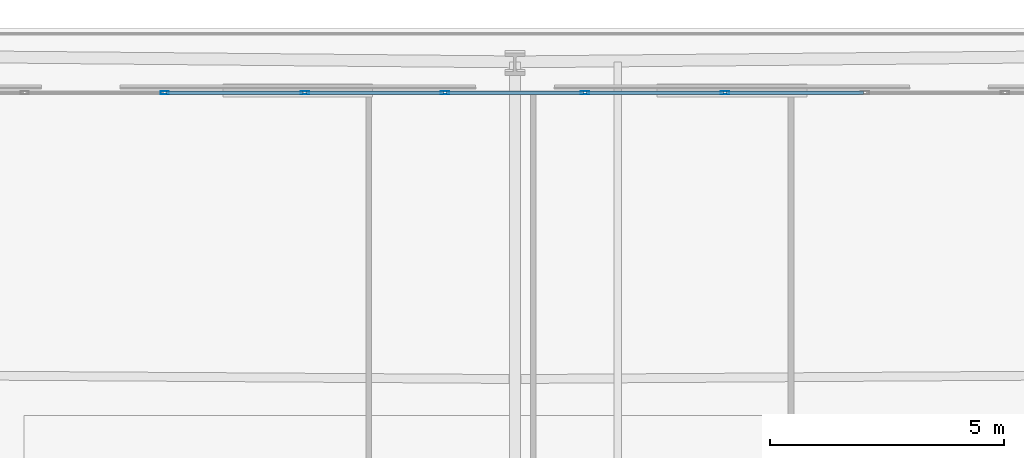
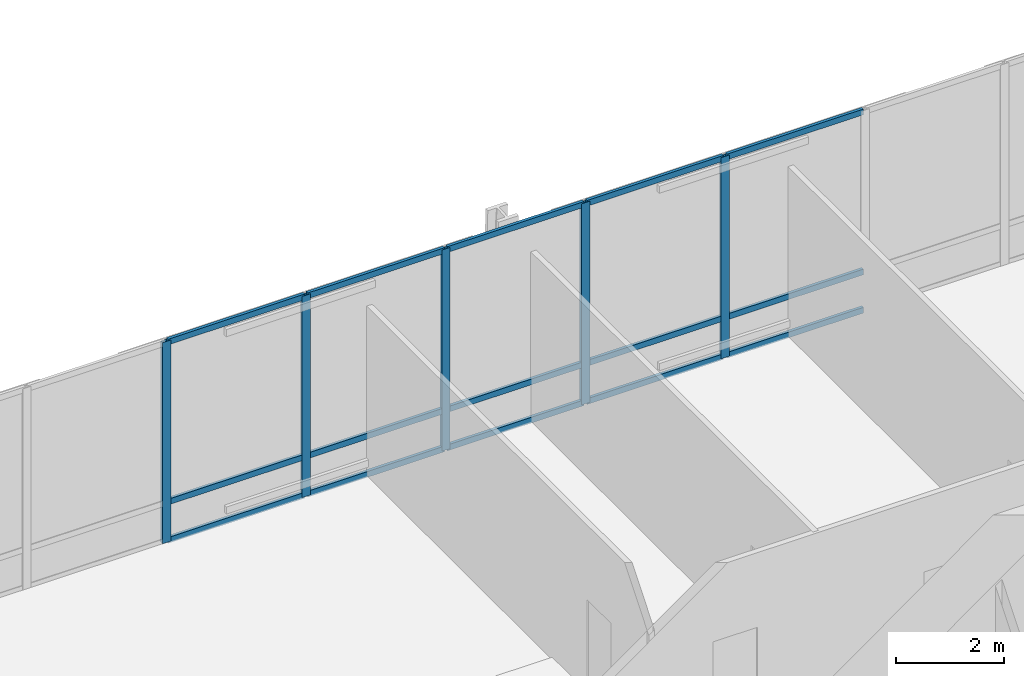
# One storey, part 35 of 48: 20 members, 1 element without a shape of its own.
"""IFC4 building model written with IfcOpenShell, lengths in metres."""

from ifc_helpers import new_model, si_unit, direction, frame, origin, origin_2d, place, context, subcontext, project, spatial, hollow_rectangle, extrude, material, layer, layer_set, material_profile, profile_set, type_object, element, aggregate, save


model = new_model("IFC4")

# Units and contexts
model_context = context("Model", 3, precision=1e-05, world=origin(), true_north=direction((0.0, 1.0)))
body_context = subcontext(model_context, "Body", "Model", "MODEL_VIEW")
ifc_project = project(units=[si_unit("LENGTHUNIT", "METRE"), si_unit("AREAUNIT", "SQUARE_METRE"), si_unit("VOLUMEUNIT", "CUBIC_METRE"), si_unit("PLANEANGLEUNIT", "RADIAN"), si_unit("MASSUNIT", "GRAM", prefix="KILO")], contexts=[model_context])

# Site, building, storey
site_placement = place(None, origin())
site = spatial("IfcSite", under=ifc_project, at=site_placement, CompositionType="ELEMENT")
building_placement = place(site_placement, origin())
building = spatial("IfcBuilding", under=site, at=building_placement, Name="Caelvoria Tower", CompositionType="ELEMENT")
storey_placement = place(building_placement, frame((0.0, 0.0, 90.39990234375)))
storey = spatial("IfcBuildingStorey", under=building, at=storey_placement, Name="L23", CompositionType="ELEMENT", Elevation=90.39990234375)

# Curtain wall, members
ifc_material_1 = material(Name="Anodised Bronze Aluminium and Low-E Glass", Category="aluminium")
ifc_layer = layer(ifc_material_1, 0.2099609375, Name="Anodised Bronze Aluminium and Low-E Glass")
ifc_layer_set = layer_set([ifc_layer], Name="CW System 3 Sky Lobby Double-Height Acoustic Facade - Anodised Bronze Aluminium and Low-E Glass")
curtain_wall_type = type_object("IfcCurtainWallType", Name="CW System 3 Sky Lobby Double-Height Acoustic Facade", PredefinedType="NOTDEFINED", material=ifc_layer_set)
curtain_wall_placement = place(storey_placement, origin())
curtain_wall = element("IfcCurtainWall", 1, at=curtain_wall_placement, inside=storey, type_object=curtain_wall_type, Name="CW-03 Curtain Wall L23-E4", PredefinedType="NOTDEFINED")
ifc_material_2 = material(Name="Anodised Bronze Architectural Aluminium", Category="aluminium")
ifc_material_profile_1 = material_profile(ifc_material_2, hollow_rectangle(XDim=0.070068359375, YDim=0.179931640625, WallThickness=0.00390625, at=origin_2d()), Name="Anodised Bronze Architectural Aluminium")
ifc_profile_set_1 = profile_set([ifc_material_profile_1], Name="CW_MULL_70X180 - Anodised Bronze Architectural Aluminium")
member_type_1 = type_object("IfcMemberType", Name="Curtain Wall Mullion 70x180 Bronze Aluminium", PredefinedType="MULLION", material=ifc_profile_set_1)
member_1_placement = place(storey_placement, frame((50.492431640625, 52.9033203125, 0.0), z_axis=(0.0, 0.0, 1.0), x_axis=(0.0, -1.0, 0.0)))
member_1 = element("IfcMember", 2, at=member_1_placement, type_object=member_type_1, Name="CW-03 mullion 6", PredefinedType="MULLION", context=body_context, shape_type="SweptSolid", body=[
    extrude(hollow_rectangle(XDim=0.070068359375, YDim=0.179931640625, WallThickness=0.00390625, at=origin_2d()), origin(), (0.0, 0.0, 1.0), 4.56005859375),
])
member_2_placement = place(storey_placement, frame((47.49755859375, 52.9033203125, 0.0), z_axis=(0.0, 0.0, 1.0), x_axis=(0.0, -1.0, 0.0)))
member_2 = element("IfcMember", 3, at=member_2_placement, type_object=member_type_1, Name="CW-03 mullion 7", PredefinedType="MULLION", context=body_context, shape_type="SweptSolid", body=[
    extrude(hollow_rectangle(XDim=0.070068359375, YDim=0.179931640625, WallThickness=0.00390625, at=origin_2d()), origin(), (0.0, 0.0, 1.0), 4.56005859375),
])
member_3_placement = place(storey_placement, frame((44.50244140625, 52.9033203125, 0.0), z_axis=(0.0, 0.0, 1.0), x_axis=(0.0, -1.0, 0.0)))
member_3 = element("IfcMember", 4, at=member_3_placement, type_object=member_type_1, Name="CW-03 mullion 8", PredefinedType="MULLION", context=body_context, shape_type="SweptSolid", body=[
    extrude(hollow_rectangle(XDim=0.070068359375, YDim=0.179931640625, WallThickness=0.00390625, at=origin_2d()), origin(), (0.0, 0.0, 1.0), 4.56005859375),
])
member_4_placement = place(storey_placement, frame((41.507568359375, 52.9033203125, 0.0), z_axis=(0.0, 0.0, 1.0), x_axis=(0.0, -1.0, 0.0)))
member_4 = element("IfcMember", 5, at=member_4_placement, type_object=member_type_1, Name="CW-03 mullion 9", PredefinedType="MULLION", context=body_context, shape_type="SweptSolid", body=[
    extrude(hollow_rectangle(XDim=0.070068359375, YDim=0.179931640625, WallThickness=0.00390625, at=origin_2d()), origin(), (0.0, 0.0, 1.0), 4.56005859375),
])
member_5_placement = place(storey_placement, frame((38.5126953125, 52.9033203125, 0.0), z_axis=(0.0, 0.0, 1.0), x_axis=(0.0, -1.0, 0.0)))
member_5 = element("IfcMember", 6, at=member_5_placement, type_object=member_type_1, Name="CW-03 mullion 10", PredefinedType="MULLION", context=body_context, shape_type="SweptSolid", body=[
    extrude(hollow_rectangle(XDim=0.070068359375, YDim=0.179931640625, WallThickness=0.00390625, at=origin_2d()), origin(), (0.0, 0.0, 1.0), 4.56005859375),
])
ifc_material_profile_2 = material_profile(ifc_material_2, hollow_rectangle(XDim=0.06494140625, YDim=0.1298828125, WallThickness=0.00341796875, at=origin_2d()), Name="Anodised Bronze Architectural Aluminium")
ifc_profile_set_2 = profile_set([ifc_material_profile_2], Name="CW_TRAN_65X130 - Anodised Bronze Architectural Aluminium")
member_type_2 = type_object("IfcMemberType", Name="Curtain Wall Transom 65x130 Bronze Aluminium", PredefinedType="USERDEFINED", material=ifc_profile_set_2)
member_6_placement = place(storey_placement, frame((53.4521484375, 52.9033203125, 0.03271484375), z_axis=(-1.0, 0.0, 0.0), x_axis=(0.0, -1.0, 0.0)))
member_6 = element("IfcMember", 7, at=member_6_placement, type_object=member_type_2, Name="CW-03 transom 5.1", ObjectType="TRANSOM", PredefinedType="USERDEFINED", context=body_context, shape_type="SweptSolid", body=[
    extrude(hollow_rectangle(XDim=0.06494140625, YDim=0.1298828125, WallThickness=0.00341796875, at=origin_2d()), origin(), (0.0, 0.0, 1.0), 2.9248046875),
])
member_7_placement = place(storey_placement, frame((53.4521484375, 52.9033203125, 0.900146484375), z_axis=(-1.0, 0.0, 0.0), x_axis=(0.0, -1.0, 0.0)))
member_7 = element("IfcMember", 8, at=member_7_placement, type_object=member_type_2, Name="CW-03 transom 5.2", ObjectType="TRANSOM", PredefinedType="USERDEFINED", context=body_context, shape_type="SweptSolid", body=[
    extrude(hollow_rectangle(XDim=0.06494140625, YDim=0.1298828125, WallThickness=0.00341796875, at=origin_2d()), origin(), (0.0, 0.0, 1.0), 2.9248046875),
])
member_8_placement = place(storey_placement, frame((53.4521484375, 52.9033203125, 4.527587890625), z_axis=(-1.0, 0.0, 0.0), x_axis=(0.0, -1.0, 0.0)))
member_8 = element("IfcMember", 9, at=member_8_placement, type_object=member_type_2, Name="CW-03 transom 5.3", ObjectType="TRANSOM", PredefinedType="USERDEFINED", context=body_context, shape_type="SweptSolid", body=[
    extrude(hollow_rectangle(XDim=0.06494140625, YDim=0.1298828125, WallThickness=0.00341796875, at=origin_2d()), origin(), (0.0, 0.0, 1.0), 2.9248046875),
])
member_9_placement = place(storey_placement, frame((50.457275390625, 52.9033203125, 0.03271484375), z_axis=(-1.0, 0.0, 0.0), x_axis=(0.0, -1.0, 0.0)))
member_9 = element("IfcMember", 10, at=member_9_placement, type_object=member_type_2, Name="CW-03 transom 6.1", ObjectType="TRANSOM", PredefinedType="USERDEFINED", context=body_context, shape_type="SweptSolid", body=[
    extrude(hollow_rectangle(XDim=0.06494140625, YDim=0.1298828125, WallThickness=0.00341796875, at=origin_2d()), origin(), (0.0, 0.0, 1.0), 2.9248046875),
])
member_10_placement = place(storey_placement, frame((50.457275390625, 52.9033203125, 0.900146484375), z_axis=(-1.0, 0.0, 0.0), x_axis=(0.0, -1.0, 0.0)))
member_10 = element("IfcMember", 11, at=member_10_placement, type_object=member_type_2, Name="CW-03 transom 6.2", ObjectType="TRANSOM", PredefinedType="USERDEFINED", context=body_context, shape_type="SweptSolid", body=[
    extrude(hollow_rectangle(XDim=0.06494140625, YDim=0.1298828125, WallThickness=0.00341796875, at=origin_2d()), origin(), (0.0, 0.0, 1.0), 2.9248046875),
])
member_11_placement = place(storey_placement, frame((50.457275390625, 52.9033203125, 4.527587890625), z_axis=(-1.0, 0.0, 0.0), x_axis=(0.0, -1.0, 0.0)))
member_11 = element("IfcMember", 12, at=member_11_placement, type_object=member_type_2, Name="CW-03 transom 6.3", ObjectType="TRANSOM", PredefinedType="USERDEFINED", context=body_context, shape_type="SweptSolid", body=[
    extrude(hollow_rectangle(XDim=0.06494140625, YDim=0.1298828125, WallThickness=0.00341796875, at=origin_2d()), origin(), (0.0, 0.0, 1.0), 2.9248046875),
])
member_12_placement = place(storey_placement, frame((47.46240234375, 52.9033203125, 0.03271484375), z_axis=(-1.0, 0.0, 0.0), x_axis=(0.0, -1.0, 0.0)))
member_12 = element("IfcMember", 13, at=member_12_placement, type_object=member_type_2, Name="CW-03 transom 7.1", ObjectType="TRANSOM", PredefinedType="USERDEFINED", context=body_context, shape_type="SweptSolid", body=[
    extrude(hollow_rectangle(XDim=0.06494140625, YDim=0.1298828125, WallThickness=0.00341796875, at=origin_2d()), origin(), (0.0, 0.0, 1.0), 2.9248046875),
])
member_13_placement = place(storey_placement, frame((47.46240234375, 52.9033203125, 0.900146484375), z_axis=(-1.0, 0.0, 0.0), x_axis=(0.0, -1.0, 0.0)))
member_13 = element("IfcMember", 14, at=member_13_placement, type_object=member_type_2, Name="CW-03 transom 7.2", ObjectType="TRANSOM", PredefinedType="USERDEFINED", context=body_context, shape_type="SweptSolid", body=[
    extrude(hollow_rectangle(XDim=0.06494140625, YDim=0.1298828125, WallThickness=0.00341796875, at=origin_2d()), origin(), (0.0, 0.0, 1.0), 2.9248046875),
])
member_14_placement = place(storey_placement, frame((47.46240234375, 52.9033203125, 4.527587890625), z_axis=(-1.0, 0.0, 0.0), x_axis=(0.0, -1.0, 0.0)))
member_14 = element("IfcMember", 15, at=member_14_placement, type_object=member_type_2, Name="CW-03 transom 7.3", ObjectType="TRANSOM", PredefinedType="USERDEFINED", context=body_context, shape_type="SweptSolid", body=[
    extrude(hollow_rectangle(XDim=0.06494140625, YDim=0.1298828125, WallThickness=0.00341796875, at=origin_2d()), origin(), (0.0, 0.0, 1.0), 2.9248046875),
])
member_15_placement = place(storey_placement, frame((44.467529296875, 52.9033203125, 0.03271484375), z_axis=(-1.0, 0.0, 0.0), x_axis=(0.0, -1.0, 0.0)))
member_15 = element("IfcMember", 16, at=member_15_placement, type_object=member_type_2, Name="CW-03 transom 8.1", ObjectType="TRANSOM", PredefinedType="USERDEFINED", context=body_context, shape_type="SweptSolid", body=[
    extrude(hollow_rectangle(XDim=0.06494140625, YDim=0.1298828125, WallThickness=0.00341796875, at=origin_2d()), origin(), (0.0, 0.0, 1.0), 2.9248046875),
])
member_16_placement = place(storey_placement, frame((44.467529296875, 52.9033203125, 0.900146484375), z_axis=(-1.0, 0.0, 0.0), x_axis=(0.0, -1.0, 0.0)))
member_16 = element("IfcMember", 17, at=member_16_placement, type_object=member_type_2, Name="CW-03 transom 8.2", ObjectType="TRANSOM", PredefinedType="USERDEFINED", context=body_context, shape_type="SweptSolid", body=[
    extrude(hollow_rectangle(XDim=0.06494140625, YDim=0.1298828125, WallThickness=0.00341796875, at=origin_2d()), origin(), (0.0, 0.0, 1.0), 2.9248046875),
])
member_17_placement = place(storey_placement, frame((44.467529296875, 52.9033203125, 4.527587890625), z_axis=(-1.0, 0.0, 0.0), x_axis=(0.0, -1.0, 0.0)))
member_17 = element("IfcMember", 18, at=member_17_placement, type_object=member_type_2, Name="CW-03 transom 8.3", ObjectType="TRANSOM", PredefinedType="USERDEFINED", context=body_context, shape_type="SweptSolid", body=[
    extrude(hollow_rectangle(XDim=0.06494140625, YDim=0.1298828125, WallThickness=0.00341796875, at=origin_2d()), origin(), (0.0, 0.0, 1.0), 2.9248046875),
])
member_18_placement = place(storey_placement, frame((41.47265625, 52.9033203125, 0.03271484375), z_axis=(-1.0, 0.0, 0.0), x_axis=(0.0, -1.0, 0.0)))
member_18 = element("IfcMember", 19, at=member_18_placement, type_object=member_type_2, Name="CW-03 transom 9.1", ObjectType="TRANSOM", PredefinedType="USERDEFINED", context=body_context, shape_type="SweptSolid", body=[
    extrude(hollow_rectangle(XDim=0.06494140625, YDim=0.1298828125, WallThickness=0.00341796875, at=origin_2d()), origin(), (0.0, 0.0, 1.0), 2.9248046875),
])
member_19_placement = place(storey_placement, frame((41.47265625, 52.9033203125, 0.900146484375), z_axis=(-1.0, 0.0, 0.0), x_axis=(0.0, -1.0, 0.0)))
member_19 = element("IfcMember", 20, at=member_19_placement, type_object=member_type_2, Name="CW-03 transom 9.2", ObjectType="TRANSOM", PredefinedType="USERDEFINED", context=body_context, shape_type="SweptSolid", body=[
    extrude(hollow_rectangle(XDim=0.06494140625, YDim=0.1298828125, WallThickness=0.00341796875, at=origin_2d()), origin(), (0.0, 0.0, 1.0), 2.9248046875),
])
member_20_placement = place(storey_placement, frame((41.47265625, 52.9033203125, 4.527587890625), z_axis=(-1.0, 0.0, 0.0), x_axis=(0.0, -1.0, 0.0)))
member_20 = element("IfcMember", 21, at=member_20_placement, type_object=member_type_2, Name="CW-03 transom 9.3", ObjectType="TRANSOM", PredefinedType="USERDEFINED", context=body_context, shape_type="SweptSolid", body=[
    extrude(hollow_rectangle(XDim=0.06494140625, YDim=0.1298828125, WallThickness=0.00341796875, at=origin_2d()), origin(), (0.0, 0.0, 1.0), 2.9248046875),
])
aggregate(curtain_wall, [member_1, member_2, member_3, member_4, member_5, member_6, member_7, member_8, member_9, member_10, member_11, member_12, member_13, member_14, member_15, member_16, member_17, member_18, member_19, member_20])

save(model, "model.ifc")
